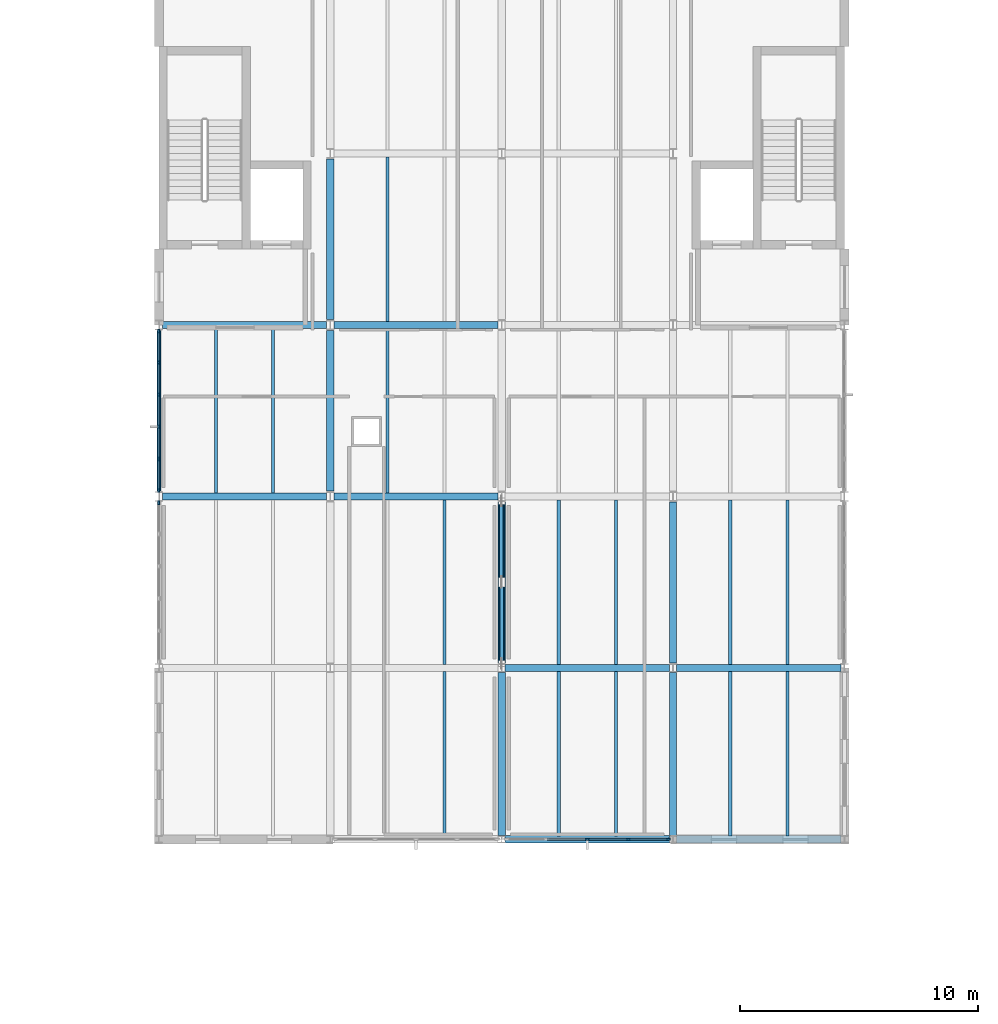
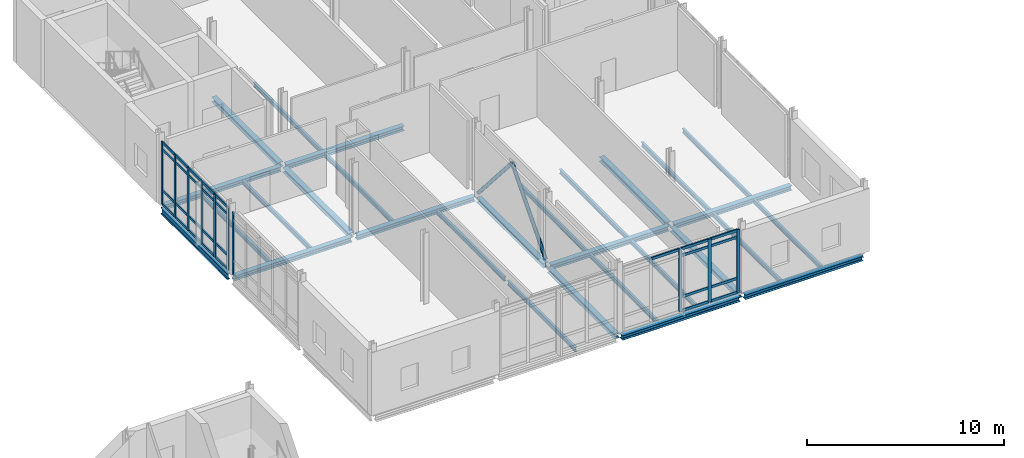
# One storey, part 29 of 72: 41 members, 29 beams, 3 elements without a shape of their own.
"""IFC4 building model written with IfcOpenShell, lengths in metres."""

import ifcopenshell
import ifcopenshell.guid

model = None  # the IFC model being written
_history = None  # IfcOwnerHistory: only IFC2X3 demands one
_inside = {}  # id of a spatial element -> (the spatial element, [elements in it])
_under = {}  # id of a project, library or spatial element -> (it, [spatial elements below it])
_declared = {}  # id of a project -> (the project, [libraries it declares])
_typed = {}  # id of a type object -> (the type object, [elements of that type])
_made_of = {}  # id of a material, layer set ... -> (it, [elements and type objects made of it])


def new_model(schema):
    """Start an empty IFC model of exactly this schema.

    Asked for "IFC4X3", IfcOpenShell would pick the latest addendum, in which some entities
    have other attributes; the version numbers below select the first issue.
    IFC2X3 requires an IfcOwnerHistory on every rooted entity: one is made here for all.
    """
    global model, _history
    if schema == "IFC4X3":
        model = ifcopenshell.file(schema_version=(4, 3, 0, 0))
    else:
        model = ifcopenshell.file(schema=schema)
    _inside.clear()
    _under.clear()
    _declared.clear()
    _typed.clear()
    _made_of.clear()
    _history = None
    if model.schema == "IFC2X3":
        org = make("IfcOrganization", Name="unknown")
        user = make(
            "IfcPersonAndOrganization",
            ThePerson=make("IfcPerson", FamilyName="unknown"),
            TheOrganization=org,
        )
        app = make(
            "IfcApplication",
            ApplicationDeveloper=org,
            Version="unknown",
            ApplicationFullName="unknown",
            ApplicationIdentifier="unknown",
        )
        _history = make(
            "IfcOwnerHistory",
            OwningUser=user,
            OwningApplication=app,
            ChangeAction="ADDED",
            CreationDate=0,
        )
    return model


def make(cls, **values):
    """One entity of the class cls with the attributes given. An attribute that is None is left unset."""
    return model.create_entity(
        cls, **{name: value for name, value in values.items() if value is not None}
    )


def rooted(cls, **values):
    """An entity with a GlobalId (a new one), such as an element, a storey or a relation."""
    return make(cls, GlobalId=ifcopenshell.guid.new(), OwnerHistory=_history, **values)


def si_unit(unit_type, name, prefix=None):
    """IfcSIUnit, for example si_unit("LENGTHUNIT", "METRE", prefix="MILLI")."""
    return make("IfcSIUnit", UnitType=unit_type, Prefix=prefix, Name=name)


def assignment(units):
    """IfcUnitAssignment: the units of a project."""
    return None if units is None else make("IfcUnitAssignment", Units=units)


def point(xyz):
    """IfcCartesianPoint."""
    return None if xyz is None else make("IfcCartesianPoint", Coordinates=xyz)


def direction(xyz):
    """IfcDirection."""
    return None if xyz is None else make("IfcDirection", DirectionRatios=xyz)


def frame(location, z_axis=None, x_axis=None):
    """IfcAxis2Placement3D, a coordinate frame: its origin and axes. An axis left out is left unset."""
    return make(
        "IfcAxis2Placement3D",
        Location=point(location),
        Axis=direction(z_axis),
        RefDirection=direction(x_axis),
    )


def frame_2d(location, x_axis=None):
    """IfcAxis2Placement2D, a coordinate frame in the plane: its origin and x axis."""
    return make(
        "IfcAxis2Placement2D", Location=point(location), RefDirection=direction(x_axis)
    )


def origin():
    """The frame at (0, 0, 0) with its axes left unset."""
    return frame((0.0, 0.0, 0.0))


def origin_2d():
    """The frame at (0, 0) in the plane with its x axis left unset."""
    return frame_2d((0.0, 0.0))


def place(relative_to, where):
    """IfcLocalPlacement: puts the frame where relative to a parent placement (None: the world)."""
    return make(
        "IfcLocalPlacement", PlacementRelTo=relative_to, RelativePlacement=where
    )


def context(
    kind, dimensions, precision=None, world=None, true_north=None, identifier=None
):
    """IfcGeometricRepresentationContext, for example the 3D "Model" context."""
    return make(
        "IfcGeometricRepresentationContext",
        ContextIdentifier=identifier,
        ContextType=kind,
        CoordinateSpaceDimension=dimensions,
        Precision=precision,
        WorldCoordinateSystem=world,
        TrueNorth=true_north,
    )


def subcontext(parent, identifier, kind, view, scale=None):
    """IfcGeometricRepresentationSubContext, for example "Body" below "Model"."""
    return make(
        "IfcGeometricRepresentationSubContext",
        ContextIdentifier=identifier,
        ContextType=kind,
        ParentContext=parent,
        TargetScale=scale,
        TargetView=view,
    )


def project(units=None, contexts=None):
    """IfcProject with its units and contexts."""
    return rooted(
        "IfcProject",
        Name="project",
        RepresentationContexts=contexts,
        UnitsInContext=assignment(units),
    )


def spatial(cls, under=None, at=None, **own):
    """A site, building, storey or space (cls), placed at a placement, below another one or the project."""
    s = rooted(cls, ObjectPlacement=at, **own)
    if under is not None:
        _under.setdefault(under.id(), (under, []))[1].append(s)
    return s


def profile(cls, at=None, kind="AREA", **sizes):
    """A parametric profile (cls). Its sizes go by their IFC names, for example OverallWidth=200.0."""
    return make(cls, ProfileType=kind, Position=at, **sizes)


def rectangle(**sizes):
    """IfcRectangleProfileDef."""
    return profile("IfcRectangleProfileDef", **sizes)


def hollow_circle(**sizes):
    """IfcCircleHollowProfileDef."""
    return profile("IfcCircleHollowProfileDef", **sizes)


def i_section(**sizes):
    """IfcIShapeProfileDef."""
    return profile("IfcIShapeProfileDef", **sizes)


def extrude(swept, where, along, depth):
    """IfcExtrudedAreaSolid: the profile swept, set in the frame where, extruded along a direction by depth."""
    return make(
        "IfcExtrudedAreaSolid",
        SweptArea=swept,
        Position=where,
        ExtrudedDirection=direction(along),
        Depth=depth,
    )


def shape(context_of_items, identifier, shape_type, items):
    """IfcShapeRepresentation: the items that make up one representation, for example the "Body"."""
    return make(
        "IfcShapeRepresentation",
        ContextOfItems=context_of_items,
        RepresentationIdentifier=identifier,
        RepresentationType=shape_type,
        Items=items,
    )


def material(Name=None, Category=None):
    """IfcMaterial."""
    return make("IfcMaterial", Name=Name, Category=Category)


def layer(
    of_material, thickness, ventilated=None, Name=None, Category=None, Priority=None
):
    """IfcMaterialLayer: one layer of a wall or slab, of a material (None: an air gap)."""
    return make(
        "IfcMaterialLayer",
        Material=of_material,
        LayerThickness=thickness,
        IsVentilated=ventilated,
        Name=Name,
        Category=Category,
        Priority=Priority,
    )


def layer_set(layers, Name=None):
    """IfcMaterialLayerSet."""
    return make("IfcMaterialLayerSet", MaterialLayers=layers, LayerSetName=Name)


def material_profile(
    of_material, cross_section, Name=None, Category=None, Priority=None
):
    """IfcMaterialProfile: a cross section and its material."""
    return make(
        "IfcMaterialProfile",
        Name=Name,
        Material=of_material,
        Profile=cross_section,
        Priority=Priority,
        Category=Category,
    )


def profile_set(profiles, Name=None, composite=None):
    """IfcMaterialProfileSet."""
    return make(
        "IfcMaterialProfileSet",
        Name=Name,
        MaterialProfiles=profiles,
        CompositeProfile=composite,
    )


def made_of(thing, what):
    """Note that an element or type object is made of a material, layer set ...; save() writes the relation."""
    if what is not None:
        _made_of.setdefault(what.id(), (what, []))[1].append(thing)
    return thing


def type_object(cls, material=None, **own):
    """A type object (cls), such as IfcWallType, which elements share."""
    return made_of(rooted(cls, **own), material)


def element(
    cls,
    number,
    at=None,
    inside=None,
    cuts=None,
    type_object=None,
    material=None,
    context=None,
    identifier="Body",
    shape_type=None,
    held_by="IfcProductDefinitionShape",
    body=None,
    shapes=None,
    **own,
):
    """One element of the class cls, such as IfcWall. Its Tag is "e" and its number.

    at: its placement. inside: the storey or other place that contains it. cuts: it is an
    opening in that element (IfcRelVoidsElement). A single representation is given by context,
    identifier, shape_type and body (its items); several are given by shapes. held_by: the class
    of the entity that holds the representations. save() writes the other relations.
    """
    e = rooted(cls, Tag="e%d" % number, ObjectPlacement=at, **own)
    if body is not None:
        shapes = [shape(context, identifier, shape_type, body)]
    if shapes is not None:
        e.Representation = make(held_by, Representations=shapes)
    if inside is not None:
        _inside.setdefault(inside.id(), (inside, []))[1].append(e)
    if cuts is not None:
        rooted(
            "IfcRelVoidsElement", RelatingBuildingElement=cuts, RelatedOpeningElement=e
        )
    if type_object is not None:
        _typed.setdefault(type_object.id(), (type_object, []))[1].append(e)
    return made_of(e, material)


def aggregate(whole, parts):
    """IfcRelAggregates: a whole, such as a stair, and the parts it consists of."""
    return rooted("IfcRelAggregates", RelatingObject=whole, RelatedObjects=parts)


def save(model, path):
    """Write the relations noted so far, then the file.

    IfcRelAggregates (storeys below a building ...), IfcRelContainedInSpatialStructure (elements
    in a storey), IfcRelDefinesByType, IfcRelAssociatesMaterial and IfcRelDeclares: one each for
    every whole, place, type object, material and project.
    """
    for whole, parts in _under.values():
        aggregate(whole, parts)
    for where, things in _inside.values():
        rooted(
            "IfcRelContainedInSpatialStructure",
            RelatedElements=things,
            RelatingStructure=where,
        )
    for kind, things in _typed.values():
        rooted("IfcRelDefinesByType", RelatedObjects=things, RelatingType=kind)
    for what, things in _made_of.values():
        rooted("IfcRelAssociatesMaterial", RelatedObjects=things, RelatingMaterial=what)
    for by, libraries in _declared.values():
        rooted("IfcRelDeclares", RelatingContext=by, RelatedDefinitions=libraries)
    model.write(path)


model = new_model("IFC4")

# Units and contexts
model_context = context("Model", 3, precision=1e-05, world=origin(), true_north=direction((0.0, 1.0)))
body_context = subcontext(model_context, "Body", "Model", "MODEL_VIEW")
ifc_project = project(units=[si_unit("LENGTHUNIT", "METRE"), si_unit("AREAUNIT", "SQUARE_METRE"), si_unit("VOLUMEUNIT", "CUBIC_METRE"), si_unit("PLANEANGLEUNIT", "RADIAN"), si_unit("MASSUNIT", "GRAM", prefix="KILO")], contexts=[model_context])

# Site, building, storey
site_placement = place(None, origin())
site = spatial("IfcSite", under=ifc_project, at=site_placement, CompositionType="ELEMENT")
building_placement = place(site_placement, origin())
building = spatial("IfcBuilding", under=site, at=building_placement, Name="Zarrinpeak Specialist Clinic", CompositionType="ELEMENT")
storey_placement = place(building_placement, frame((0.0, 0.0, 9.60009765625)))
storey = spatial("IfcBuildingStorey", under=building, at=storey_placement, Name="L02", CompositionType="ELEMENT", Elevation=9.60009765625)

# Beams
ifc_material_1 = material(Name="Steel S355", Category="steel")
ifc_material_profile_1 = material_profile(ifc_material_1, i_section(OverallWidth=0.300048828125, OverallDepth=0.2900390625, WebThickness=0.008544921875, FlangeThickness=0.013916015625, FilletRadius=0.027099609375, at=origin_2d()), Name="HEA 300")
ifc_profile_set_1 = profile_set([ifc_material_profile_1], Name="Steel S355")
beam_type_1 = type_object("IfcBeamType", Name="BM-HEA300", PredefinedType="BEAM", material=ifc_profile_set_1)
beam_1_placement = place(storey_placement, frame((50.548095703125, 82.0, -0.360107421875), z_axis=(1.0, 0.0, 0.0), x_axis=(0.0, 1.0, 0.0)))
element("IfcBeam", 1, at=beam_1_placement, inside=storey, type_object=beam_type_1, Name="L02 Primary Floor Girder BM-L02-X1203", PredefinedType="BEAM", context=body_context, shape_type="SweptSolid", body=[
    extrude(i_section(OverallWidth=0.300048828125, OverallDepth=0.2900390625, WebThickness=0.008544921875, FlangeThickness=0.013916015625, FilletRadius=0.027099609375, at=origin_2d()), origin(), (0.0, 0.0, 1.0), 6.90380859375),
])
beam_2_placement = place(storey_placement, frame((57.748046875, 82.0, -0.360107421875), z_axis=(1.0, 0.0, 0.0), x_axis=(0.0, 1.0, 0.0)))
element("IfcBeam", 2, at=beam_2_placement, inside=storey, type_object=beam_type_1, Name="L02 Primary Floor Girder BM-L02-X1204", PredefinedType="BEAM", context=body_context, shape_type="SweptSolid", body=[
    extrude(i_section(OverallWidth=0.300048828125, OverallDepth=0.2900390625, WebThickness=0.008544921875, FlangeThickness=0.013916015625, FilletRadius=0.027099609375, at=origin_2d()), origin(), (0.0, 0.0, 1.0), 6.904052734375),
])
beam_3_placement = place(storey_placement, frame((50.548095703125, 89.199951171875, -0.360107421875), z_axis=(1.0, 0.0, 0.0), x_axis=(0.0, 1.0, 0.0)))
element("IfcBeam", 3, at=beam_3_placement, inside=storey, type_object=beam_type_1, Name="L02 Primary Floor Girder BM-L02-X1207", PredefinedType="BEAM", context=body_context, shape_type="SweptSolid", body=[
    extrude(i_section(OverallWidth=0.300048828125, OverallDepth=0.2900390625, WebThickness=0.008544921875, FlangeThickness=0.013916015625, FilletRadius=0.027099609375, at=origin_2d()), origin(), (0.0, 0.0, 1.0), 6.90380859375),
])
for number, where, z_axis, x_axis, name in (
    (4, (57.748046875, 89.199951171875, -0.360107421875), (1.0, 0.0, 0.0), (0.0, 1.0, 0.0), "L02 Primary Floor Girder BM-L02-X1208"),
    (5, (36.14794921875, 96.39990234375, -0.360107421875), (1.0, 0.0, 0.0), (0.0, 1.0, 0.0), "L02 Primary Floor Girder BM-L02-X1209"),
    (6, (43.347900390625, 96.39990234375, -0.360107421875), (1.0, 0.0, 0.0), (0.0, 1.0, 0.0), "L02 Primary Floor Girder BM-L02-X1210"),
    (7, (36.14794921875, 103.60009765625, -0.360107421875), (1.0, 0.0, 0.0), (0.0, 1.0, 0.0), "L02 Primary Floor Girder BM-L02-X1213"),
    (8, (43.347900390625, 103.60009765625, -0.360107421875), (1.0, 0.0, 0.0), (0.0, 1.0, 0.0), "L02 Primary Floor Girder BM-L02-X1214"),
):
    element("IfcBeam", number, at=place(storey_placement, frame(where, z_axis=z_axis, x_axis=x_axis)), inside=storey, type_object=beam_type_1, Name=name, PredefinedType="BEAM", context=body_context, shape_type="SweptSolid", body=[
        extrude(i_section(OverallWidth=0.300048828125, OverallDepth=0.2900390625, WebThickness=0.008544921875, FlangeThickness=0.013916015625, FilletRadius=0.027099609375, at=origin_2d()), origin(), (0.0, 0.0, 1.0), 6.904052734375),
    ])
for number, where, z_axis, x_axis, name in (
    (9, (43.199951171875, 96.623046875, -0.360107421875), (0.0, 1.0, 0.0), (-1.0, 0.0, 0.0), "L02 Primary Beam BM-L02-Y1287"),
    (10, (43.199951171875, 103.822998046875, -0.360107421875), (0.0, 1.0, 0.0), (-1.0, 0.0, 0.0), "L02 Primary Beam BM-L02-Y1288"),
):
    element("IfcBeam", number, at=place(storey_placement, frame(where, z_axis=z_axis, x_axis=x_axis)), inside=storey, type_object=beam_type_1, Name=name, PredefinedType="BEAM", context=body_context, shape_type="SweptSolid", body=[
        extrude(i_section(OverallWidth=0.300048828125, OverallDepth=0.2900390625, WebThickness=0.008544921875, FlangeThickness=0.013916015625, FilletRadius=0.027099609375, at=origin_2d()), origin(), (0.0, 0.0, 1.0), 6.75390625),
    ])
beam_4_placement = place(storey_placement, frame((50.39990234375, 82.157958984375, -0.360107421875), z_axis=(0.0, 1.0, 0.0), x_axis=(-1.0, 0.0, 0.0)))
element("IfcBeam", 11, at=beam_4_placement, inside=storey, type_object=beam_type_1, Name="L02 Primary Beam BM-L02-Y1294", PredefinedType="BEAM", context=body_context, shape_type="SweptSolid", body=[
    extrude(i_section(OverallWidth=0.300048828125, OverallDepth=0.2900390625, WebThickness=0.008544921875, FlangeThickness=0.013916015625, FilletRadius=0.027099609375, at=origin_2d()), origin(), (0.0, 0.0, 1.0), 6.843994140625),
])
beam_5_placement = place(storey_placement, frame((50.39990234375, 89.39794921875, -0.360107421875), z_axis=(0.0, 1.0, 0.0), x_axis=(-1.0, 0.0, 0.0)))
element("IfcBeam", 12, at=beam_5_placement, inside=storey, type_object=beam_type_1, Name="L02 Primary Beam BM-L02-Y1295", PredefinedType="BEAM", context=body_context, shape_type="SweptSolid", body=[
    extrude(i_section(OverallWidth=0.300048828125, OverallDepth=0.2900390625, WebThickness=0.008544921875, FlangeThickness=0.013916015625, FilletRadius=0.027099609375, at=origin_2d()), origin(), (0.0, 0.0, 1.0), 6.779052734375),
])
beam_6_placement = place(storey_placement, frame((57.60009765625, 82.157958984375, -0.360107421875), z_axis=(0.0, 1.0, 0.0), x_axis=(-1.0, 0.0, 0.0)))
element("IfcBeam", 13, at=beam_6_placement, inside=storey, type_object=beam_type_1, Name="L02 Primary Beam BM-L02-Y1301", PredefinedType="BEAM", context=body_context, shape_type="SweptSolid", body=[
    extrude(i_section(OverallWidth=0.300048828125, OverallDepth=0.2900390625, WebThickness=0.008544921875, FlangeThickness=0.013916015625, FilletRadius=0.027099609375, at=origin_2d()), origin(), (0.0, 0.0, 1.0), 6.843994140625),
])
beam_7_placement = place(storey_placement, frame((57.60009765625, 89.39794921875, -0.360107421875), z_axis=(0.0, 1.0, 0.0), x_axis=(-1.0, 0.0, 0.0)))
element("IfcBeam", 14, at=beam_7_placement, inside=storey, type_object=beam_type_1, Name="L02 Primary Beam BM-L02-Y1302", PredefinedType="BEAM", context=body_context, shape_type="SweptSolid", body=[
    extrude(i_section(OverallWidth=0.300048828125, OverallDepth=0.2900390625, WebThickness=0.008544921875, FlangeThickness=0.013916015625, FilletRadius=0.027099609375, at=origin_2d()), origin(), (0.0, 0.0, 1.0), 6.779052734375),
])
ifc_material_profile_2 = material_profile(ifc_material_1, i_section(OverallWidth=0.135009765625, OverallDepth=0.27001953125, WebThickness=0.006591796875, FlangeThickness=0.01025390625, FilletRadius=0.014892578125, at=origin_2d()), Name="IPE 270")
ifc_profile_set_2 = profile_set([ifc_material_profile_2], Name="Steel S355")
beam_type_2 = type_object("IfcBeamType", Name="BM-JST270", PredefinedType="JOIST", material=ifc_profile_set_2)
for number, where, z_axis, x_axis, name in (
    (15, (38.39990234375, 96.548095703125, -0.35009765625), (0.0, 1.0, 0.0), (-1.0, 0.0, 0.0), "L02 Composite Floor Joist JST-L02-1458"),
    (16, (40.800048828125, 96.548095703125, -0.35009765625), (0.0, 1.0, 0.0), (-1.0, 0.0, 0.0), "L02 Composite Floor Joist JST-L02-1459"),
):
    element("IfcBeam", number, at=place(storey_placement, frame(where, z_axis=z_axis, x_axis=x_axis)), inside=storey, type_object=beam_type_2, Name=name, PredefinedType="JOIST", context=body_context, shape_type="SweptSolid", body=[
        extrude(i_section(OverallWidth=0.135009765625, OverallDepth=0.27001953125, WebThickness=0.006591796875, FlangeThickness=0.01025390625, FilletRadius=0.014892578125, at=origin_2d()), origin(), (0.0, 0.0, 1.0), 6.90380859375),
    ])
for number, where, z_axis, x_axis, name in (
    (17, (48.0, 82.14794921875, -0.35009765625), (0.0, 1.0, 0.0), (-1.0, 0.0, 0.0), "L02 Composite Floor Joist JST-L02-1461"),
    (18, (48.0, 89.347900390625, -0.35009765625), (0.0, 1.0, 0.0), (-1.0, 0.0, 0.0), "L02 Composite Floor Joist JST-L02-1463"),
):
    element("IfcBeam", number, at=place(storey_placement, frame(where, z_axis=z_axis, x_axis=x_axis)), inside=storey, type_object=beam_type_2, Name=name, PredefinedType="JOIST", context=body_context, shape_type="SweptSolid", body=[
        extrude(i_section(OverallWidth=0.135009765625, OverallDepth=0.27001953125, WebThickness=0.006591796875, FlangeThickness=0.01025390625, FilletRadius=0.014892578125, at=origin_2d()), origin(), (0.0, 0.0, 1.0), 6.904052734375),
    ])
beam_8_placement = place(storey_placement, frame((45.60009765625, 96.548095703125, -0.35009765625), z_axis=(0.0, 1.0, 0.0), x_axis=(-1.0, 0.0, 0.0)))
element("IfcBeam", 19, at=beam_8_placement, inside=storey, type_object=beam_type_2, Name="L02 Composite Floor Joist JST-L02-1464", PredefinedType="JOIST", context=body_context, shape_type="SweptSolid", body=[
    extrude(i_section(OverallWidth=0.135009765625, OverallDepth=0.27001953125, WebThickness=0.006591796875, FlangeThickness=0.01025390625, FilletRadius=0.014892578125, at=origin_2d()), origin(), (0.0, 0.0, 1.0), 6.90380859375),
])
for number, where, z_axis, x_axis, name in (
    (20, (45.60009765625, 103.748046875, -0.35009765625), (0.0, 1.0, 0.0), (-1.0, 0.0, 0.0), "L02 Composite Floor Joist JST-L02-1466"),
    (21, (52.800048828125, 82.14794921875, -0.35009765625), (0.0, 1.0, 0.0), (-1.0, 0.0, 0.0), "L02 Composite Floor Joist JST-L02-1470"),
    (22, (55.199951171875, 82.14794921875, -0.35009765625), (0.0, 1.0, 0.0), (-1.0, 0.0, 0.0), "L02 Composite Floor Joist JST-L02-1471"),
    (23, (52.800048828125, 89.347900390625, -0.35009765625), (0.0, 1.0, 0.0), (-1.0, 0.0, 0.0), "L02 Composite Floor Joist JST-L02-1472"),
    (24, (55.199951171875, 89.347900390625, -0.35009765625), (0.0, 1.0, 0.0), (-1.0, 0.0, 0.0), "L02 Composite Floor Joist JST-L02-1473"),
    (25, (60.0, 82.14794921875, -0.35009765625), (0.0, 1.0, 0.0), (-1.0, 0.0, 0.0), "L02 Composite Floor Joist JST-L02-1480"),
    (26, (62.39990234375, 82.14794921875, -0.35009765625), (0.0, 1.0, 0.0), (-1.0, 0.0, 0.0), "L02 Composite Floor Joist JST-L02-1481"),
    (27, (60.0, 89.347900390625, -0.35009765625), (0.0, 1.0, 0.0), (-1.0, 0.0, 0.0), "L02 Composite Floor Joist JST-L02-1482"),
    (28, (62.39990234375, 89.347900390625, -0.35009765625), (0.0, 1.0, 0.0), (-1.0, 0.0, 0.0), "L02 Composite Floor Joist JST-L02-1483"),
):
    element("IfcBeam", number, at=place(storey_placement, frame(where, z_axis=z_axis, x_axis=x_axis)), inside=storey, type_object=beam_type_2, Name=name, PredefinedType="JOIST", context=body_context, shape_type="SweptSolid", body=[
        extrude(i_section(OverallWidth=0.135009765625, OverallDepth=0.27001953125, WebThickness=0.006591796875, FlangeThickness=0.01025390625, FilletRadius=0.014892578125, at=origin_2d()), origin(), (0.0, 0.0, 1.0), 6.904052734375),
    ])
ifc_material_profile_3 = material_profile(ifc_material_1, i_section(OverallWidth=0.169921875, OverallDepth=0.360107421875, WebThickness=0.008056640625, FlangeThickness=0.0126953125, FilletRadius=0.01806640625, at=origin_2d()), Name="IPE 360")
ifc_profile_set_3 = profile_set([ifc_material_profile_3], Name="Steel S355")
beam_type_3 = type_object("IfcBeamType", Name="BM-SP360", PredefinedType="SPANDREL", material=ifc_profile_set_3)
beam_9_placement = place(storey_placement, frame((36.0, 96.623046875, -0.39501953125), z_axis=(0.0, 1.0, 0.0), x_axis=(-1.0, 0.0, 0.0)))
element("IfcBeam", 29, at=beam_9_placement, inside=storey, type_object=beam_type_3, Name="L02 Perimeter Spandrel Beam BM-L02-Y1281", PredefinedType="SPANDREL", context=body_context, shape_type="SweptSolid", body=[
    extrude(i_section(OverallWidth=0.169921875, OverallDepth=0.360107421875, WebThickness=0.008056640625, FlangeThickness=0.0126953125, FilletRadius=0.01806640625, at=origin_2d()), origin(), (0.0, 0.0, 1.0), 6.75390625),
])

# Curtain wall, members
ifc_material_2 = material(Name="Anodised Aluminium Alloy 6063-T6", Category="aluminium")
ifc_layer_1 = layer(ifc_material_2, 0.179931640625)
ifc_layer_set_1 = layer_set([ifc_layer_1], Name="Anodised Aluminium Alloy 6063-T6")
curtain_wall_type_1 = type_object("IfcCurtainWallType", Name="CW-COURT", PredefinedType="NOTDEFINED", material=ifc_layer_set_1)
curtain_wall_1_placement = place(storey_placement, origin())
curtain_wall_1 = element("IfcCurtainWall", 30, at=curtain_wall_1_placement, inside=storey, type_object=curtain_wall_type_1, Name="L02 V6 Unitised Curtain Wall CW-L02-V6-142", PredefinedType="NOTDEFINED")
ifc_material_profile_4 = material_profile(ifc_material_2, rectangle(XDim=0.074951171875, YDim=0.179931640625, at=origin_2d()), Name="ALU 75x180")
ifc_profile_set_4 = profile_set([ifc_material_profile_4], Name="Anodised Aluminium Alloy 6063-T6")
member_type_1 = type_object("IfcMemberType", Name="CWM-75", PredefinedType="MULLION", material=ifc_profile_set_4)
member_1_placement = place(storey_placement, frame((54.0, 82.0, 0.0), z_axis=(0.0, 0.0, 1.0), x_axis=(0.0, 1.0, 0.0)))
member_1 = element("IfcMember", 31, at=member_1_placement, type_object=member_type_1, Name="CW-01 mullion 3", PredefinedType="MULLION", context=body_context, shape_type="SweptSolid", body=[
    extrude(rectangle(XDim=0.074951171875, YDim=0.179931640625, at=origin_2d()), origin(), (0.0, 0.0, 1.0), 3.89990234375),
])
member_2_placement = place(storey_placement, frame((55.717529296875, 82.0, 0.0), z_axis=(0.0, 0.0, 1.0), x_axis=(0.0, 1.0, 0.0)))
member_2 = element("IfcMember", 32, at=member_2_placement, type_object=member_type_1, Name="CW-01 mullion 4", PredefinedType="MULLION", context=body_context, shape_type="SweptSolid", body=[
    extrude(rectangle(XDim=0.074951171875, YDim=0.179931640625, at=origin_2d()), origin(), (0.0, 0.0, 1.0), 3.89990234375),
])
member_3_placement = place(storey_placement, frame((57.3974609375, 82.0, 0.0), z_axis=(0.0, 0.0, 1.0), x_axis=(0.0, 1.0, 0.0)))
member_3 = element("IfcMember", 33, at=member_3_placement, type_object=member_type_1, Name="CW-01 mullion 5", PredefinedType="MULLION", context=body_context, shape_type="SweptSolid", body=[
    extrude(rectangle(XDim=0.074951171875, YDim=0.179931640625, at=origin_2d()), origin(), (0.0, 0.0, 1.0), 3.89990234375),
])

# Curtain wall, member
ifc_layer_2 = layer(ifc_material_2, 0.1650390625)
ifc_layer_set_2 = layer_set([ifc_layer_2], Name="Anodised Aluminium Alloy 6063-T6")
curtain_wall_type_2 = type_object("IfcCurtainWallType", Name="CW-CLINIC", PredefinedType="NOTDEFINED", material=ifc_layer_set_2)
curtain_wall_2_placement = place(storey_placement, origin())
curtain_wall_2 = element("IfcCurtainWall", 34, at=curtain_wall_2_placement, inside=storey, type_object=curtain_wall_type_2, Name="L02 V6 Unitised Curtain Wall CW-L02-V6-143", PredefinedType="NOTDEFINED")
member_4_placement = place(storey_placement, frame((36.0, 96.137451171875, 0.0), z_axis=(0.0, 0.0, 1.0), x_axis=(1.0, 0.0, 0.0)))
member_4 = element("IfcMember", 35, at=member_4_placement, type_object=member_type_1, Name="CW-03 mullion 1", PredefinedType="MULLION", context=body_context, shape_type="SweptSolid", body=[
    extrude(rectangle(XDim=0.074951171875, YDim=0.179931640625, at=origin_2d()), origin(), (0.0, 0.0, 1.0), 3.885009765625),
])
aggregate(curtain_wall_2, [member_4])

# Curtain wall, members
curtain_wall_3_placement = place(storey_placement, origin())
curtain_wall_3 = element("IfcCurtainWall", 36, at=curtain_wall_3_placement, inside=storey, type_object=curtain_wall_type_2, Name="L02 V6 Unitised Curtain Wall CW-L02-V6-144", PredefinedType="NOTDEFINED")
member_5_placement = place(storey_placement, frame((36.0, 103.33740234375, 0.0), z_axis=(0.0, 0.0, 1.0), x_axis=(1.0, 0.0, 0.0)))
member_5 = element("IfcMember", 37, at=member_5_placement, type_object=member_type_1, Name="CW-03 mullion 1", PredefinedType="MULLION", context=body_context, shape_type="SweptSolid", body=[
    extrude(rectangle(XDim=0.074951171875, YDim=0.179931640625, at=origin_2d()), origin(), (0.0, 0.0, 1.0), 3.885009765625),
])
member_6_placement = place(storey_placement, frame((36.0, 102.02490234375, 0.0), z_axis=(0.0, 0.0, 1.0), x_axis=(1.0, 0.0, 0.0)))
member_6 = element("IfcMember", 38, at=member_6_placement, type_object=member_type_1, Name="CW-03 mullion 2", PredefinedType="MULLION", context=body_context, shape_type="SweptSolid", body=[
    extrude(rectangle(XDim=0.074951171875, YDim=0.179931640625, at=origin_2d()), origin(), (0.0, 0.0, 1.0), 3.885009765625),
])
member_7_placement = place(storey_placement, frame((36.0, 100.675048828125, 0.0), z_axis=(0.0, 0.0, 1.0), x_axis=(1.0, 0.0, 0.0)))
member_7 = element("IfcMember", 39, at=member_7_placement, type_object=member_type_1, Name="CW-03 mullion 3", PredefinedType="MULLION", context=body_context, shape_type="SweptSolid", body=[
    extrude(rectangle(XDim=0.074951171875, YDim=0.179931640625, at=origin_2d()), origin(), (0.0, 0.0, 1.0), 3.885009765625),
])
member_8_placement = place(storey_placement, frame((36.0, 99.324951171875, 0.0), z_axis=(0.0, 0.0, 1.0), x_axis=(1.0, 0.0, 0.0)))
member_8 = element("IfcMember", 40, at=member_8_placement, type_object=member_type_1, Name="CW-03 mullion 4", PredefinedType="MULLION", context=body_context, shape_type="SweptSolid", body=[
    extrude(rectangle(XDim=0.074951171875, YDim=0.179931640625, at=origin_2d()), origin(), (0.0, 0.0, 1.0), 3.885009765625),
])
member_9_placement = place(storey_placement, frame((36.0, 97.97509765625, 0.0), z_axis=(0.0, 0.0, 1.0), x_axis=(1.0, 0.0, 0.0)))
member_9 = element("IfcMember", 41, at=member_9_placement, type_object=member_type_1, Name="CW-03 mullion 5", PredefinedType="MULLION", context=body_context, shape_type="SweptSolid", body=[
    extrude(rectangle(XDim=0.074951171875, YDim=0.179931640625, at=origin_2d()), origin(), (0.0, 0.0, 1.0), 3.885009765625),
])
member_10_placement = place(storey_placement, frame((36.0, 96.66259765625, 0.0), z_axis=(0.0, 0.0, 1.0), x_axis=(1.0, 0.0, 0.0)))
member_10 = element("IfcMember", 42, at=member_10_placement, type_object=member_type_1, Name="CW-03 mullion 6", PredefinedType="MULLION", context=body_context, shape_type="SweptSolid", body=[
    extrude(rectangle(XDim=0.074951171875, YDim=0.179931640625, at=origin_2d()), origin(), (0.0, 0.0, 1.0), 3.885009765625),
])

# Member
ifc_material_profile_5 = material_profile(ifc_material_2, rectangle(XDim=0.074951171875, YDim=0.159912109375, at=origin_2d()), Name="ALU 75x160")
ifc_profile_set_5 = profile_set([ifc_material_profile_5], Name="Anodised Aluminium Alloy 6063-T6")
member_type_2 = type_object("IfcMemberType", Name="CWT-75", PredefinedType="USERDEFINED", material=ifc_profile_set_5)
member_11_placement = place(storey_placement, frame((52.320068359375, 82.0, 3.8623046875), z_axis=(1.0, 0.0, 0.0), x_axis=(0.0, 1.0, 0.0)))
member_11 = element("IfcMember", 43, at=member_11_placement, type_object=member_type_2, Name="CW-01 transom 2.4", ObjectType="TRANSOM", PredefinedType="USERDEFINED", context=body_context, shape_type="SweptSolid", body=[
    extrude(rectangle(XDim=0.074951171875, YDim=0.159912109375, at=origin_2d()), origin(), (0.0, 0.0, 1.0), 1.642333984375),
])

member_12_placement = place(storey_placement, frame((54.03759765625, 82.0, 0.037353515625), z_axis=(1.0, 0.0, 0.0), x_axis=(0.0, 1.0, 0.0)))
member_12 = element("IfcMember", 44, at=member_12_placement, type_object=member_type_2, Name="CW-01 transom 3.1", ObjectType="TRANSOM", PredefinedType="USERDEFINED", context=body_context, shape_type="SweptSolid", body=[
    extrude(rectangle(XDim=0.074951171875, YDim=0.159912109375, at=origin_2d()), origin(), (0.0, 0.0, 1.0), 1.642333984375),
])

member_13_placement = place(storey_placement, frame((54.03759765625, 82.0, 0.89990234375), z_axis=(1.0, 0.0, 0.0), x_axis=(0.0, 1.0, 0.0)))
member_13 = element("IfcMember", 45, at=member_13_placement, type_object=member_type_2, Name="CW-01 transom 3.2", ObjectType="TRANSOM", PredefinedType="USERDEFINED", context=body_context, shape_type="SweptSolid", body=[
    extrude(rectangle(XDim=0.074951171875, YDim=0.159912109375, at=origin_2d()), origin(), (0.0, 0.0, 1.0), 1.642333984375),
])

member_14_placement = place(storey_placement, frame((54.03759765625, 82.0, 3.449951171875), z_axis=(1.0, 0.0, 0.0), x_axis=(0.0, 1.0, 0.0)))
member_14 = element("IfcMember", 46, at=member_14_placement, type_object=member_type_2, Name="CW-01 transom 3.3", ObjectType="TRANSOM", PredefinedType="USERDEFINED", context=body_context, shape_type="SweptSolid", body=[
    extrude(rectangle(XDim=0.074951171875, YDim=0.159912109375, at=origin_2d()), origin(), (0.0, 0.0, 1.0), 1.642333984375),
])

member_15_placement = place(storey_placement, frame((54.03759765625, 82.0, 3.8623046875), z_axis=(1.0, 0.0, 0.0), x_axis=(0.0, 1.0, 0.0)))
member_15 = element("IfcMember", 47, at=member_15_placement, type_object=member_type_2, Name="CW-01 transom 3.4", ObjectType="TRANSOM", PredefinedType="USERDEFINED", context=body_context, shape_type="SweptSolid", body=[
    extrude(rectangle(XDim=0.074951171875, YDim=0.159912109375, at=origin_2d()), origin(), (0.0, 0.0, 1.0), 1.642333984375),
])

member_16_placement = place(storey_placement, frame((55.7548828125, 82.0, 0.037353515625), z_axis=(1.0, 0.0, 0.0), x_axis=(0.0, 1.0, 0.0)))
member_16 = element("IfcMember", 48, at=member_16_placement, type_object=member_type_2, Name="CW-01 transom 4.1", ObjectType="TRANSOM", PredefinedType="USERDEFINED", context=body_context, shape_type="SweptSolid", body=[
    extrude(rectangle(XDim=0.074951171875, YDim=0.159912109375, at=origin_2d()), origin(), (0.0, 0.0, 1.0), 1.605224609375),
])

member_17_placement = place(storey_placement, frame((55.7548828125, 82.0, 0.89990234375), z_axis=(1.0, 0.0, 0.0), x_axis=(0.0, 1.0, 0.0)))
member_17 = element("IfcMember", 49, at=member_17_placement, type_object=member_type_2, Name="CW-01 transom 4.2", ObjectType="TRANSOM", PredefinedType="USERDEFINED", context=body_context, shape_type="SweptSolid", body=[
    extrude(rectangle(XDim=0.074951171875, YDim=0.159912109375, at=origin_2d()), origin(), (0.0, 0.0, 1.0), 1.605224609375),
])

member_18_placement = place(storey_placement, frame((55.7548828125, 82.0, 3.449951171875), z_axis=(1.0, 0.0, 0.0), x_axis=(0.0, 1.0, 0.0)))
member_18 = element("IfcMember", 50, at=member_18_placement, type_object=member_type_2, Name="CW-01 transom 4.3", ObjectType="TRANSOM", PredefinedType="USERDEFINED", context=body_context, shape_type="SweptSolid", body=[
    extrude(rectangle(XDim=0.074951171875, YDim=0.159912109375, at=origin_2d()), origin(), (0.0, 0.0, 1.0), 1.605224609375),
])

member_19_placement = place(storey_placement, frame((55.7548828125, 82.0, 3.8623046875), z_axis=(1.0, 0.0, 0.0), x_axis=(0.0, 1.0, 0.0)))
member_19 = element("IfcMember", 51, at=member_19_placement, type_object=member_type_2, Name="CW-01 transom 4.4", ObjectType="TRANSOM", PredefinedType="USERDEFINED", context=body_context, shape_type="SweptSolid", body=[
    extrude(rectangle(XDim=0.074951171875, YDim=0.159912109375, at=origin_2d()), origin(), (0.0, 0.0, 1.0), 1.605224609375),
])

aggregate(curtain_wall_1, [member_1, member_2, member_3, member_11, member_12, member_13, member_14, member_15, member_16, member_17, member_18, member_19])

member_20_placement = place(storey_placement, frame((36.0, 103.300048828125, 0.037353515625), z_axis=(0.0, -1.0, 0.0), x_axis=(1.0, 0.0, 0.0)))
member_20 = element("IfcMember", 52, at=member_20_placement, type_object=member_type_2, Name="CW-03 transom 1.1", ObjectType="TRANSOM", PredefinedType="USERDEFINED", context=body_context, shape_type="SweptSolid", body=[
    extrude(rectangle(XDim=0.074951171875, YDim=0.159912109375, at=origin_2d()), origin(), (0.0, 0.0, 1.0), 1.237548828125),
])

member_21_placement = place(storey_placement, frame((36.0, 103.300048828125, 0.89990234375), z_axis=(0.0, -1.0, 0.0), x_axis=(1.0, 0.0, 0.0)))
member_21 = element("IfcMember", 53, at=member_21_placement, type_object=member_type_2, Name="CW-03 transom 1.2", ObjectType="TRANSOM", PredefinedType="USERDEFINED", context=body_context, shape_type="SweptSolid", body=[
    extrude(rectangle(XDim=0.074951171875, YDim=0.159912109375, at=origin_2d()), origin(), (0.0, 0.0, 1.0), 1.237548828125),
])

member_22_placement = place(storey_placement, frame((36.0, 103.300048828125, 3.434814453125), z_axis=(0.0, -1.0, 0.0), x_axis=(1.0, 0.0, 0.0)))
member_22 = element("IfcMember", 54, at=member_22_placement, type_object=member_type_2, Name="CW-03 transom 1.3", ObjectType="TRANSOM", PredefinedType="USERDEFINED", context=body_context, shape_type="SweptSolid", body=[
    extrude(rectangle(XDim=0.074951171875, YDim=0.159912109375, at=origin_2d()), origin(), (0.0, 0.0, 1.0), 1.237548828125),
])

member_23_placement = place(storey_placement, frame((36.0, 103.300048828125, 3.847412109375), z_axis=(0.0, -1.0, 0.0), x_axis=(1.0, 0.0, 0.0)))
member_23 = element("IfcMember", 55, at=member_23_placement, type_object=member_type_2, Name="CW-03 transom 1.4", ObjectType="TRANSOM", PredefinedType="USERDEFINED", context=body_context, shape_type="SweptSolid", body=[
    extrude(rectangle(XDim=0.074951171875, YDim=0.159912109375, at=origin_2d()), origin(), (0.0, 0.0, 1.0), 1.237548828125),
])

member_24_placement = place(storey_placement, frame((36.0, 101.987548828125, 0.037353515625), z_axis=(0.0, -1.0, 0.0), x_axis=(1.0, 0.0, 0.0)))
member_24 = element("IfcMember", 56, at=member_24_placement, type_object=member_type_2, Name="CW-03 transom 2.1", ObjectType="TRANSOM", PredefinedType="USERDEFINED", context=body_context, shape_type="SweptSolid", body=[
    extrude(rectangle(XDim=0.074951171875, YDim=0.159912109375, at=origin_2d()), origin(), (0.0, 0.0, 1.0), 1.275146484375),
])

member_25_placement = place(storey_placement, frame((36.0, 101.987548828125, 0.89990234375), z_axis=(0.0, -1.0, 0.0), x_axis=(1.0, 0.0, 0.0)))
member_25 = element("IfcMember", 57, at=member_25_placement, type_object=member_type_2, Name="CW-03 transom 2.2", ObjectType="TRANSOM", PredefinedType="USERDEFINED", context=body_context, shape_type="SweptSolid", body=[
    extrude(rectangle(XDim=0.074951171875, YDim=0.159912109375, at=origin_2d()), origin(), (0.0, 0.0, 1.0), 1.275146484375),
])

member_26_placement = place(storey_placement, frame((36.0, 101.987548828125, 3.434814453125), z_axis=(0.0, -1.0, 0.0), x_axis=(1.0, 0.0, 0.0)))
member_26 = element("IfcMember", 58, at=member_26_placement, type_object=member_type_2, Name="CW-03 transom 2.3", ObjectType="TRANSOM", PredefinedType="USERDEFINED", context=body_context, shape_type="SweptSolid", body=[
    extrude(rectangle(XDim=0.074951171875, YDim=0.159912109375, at=origin_2d()), origin(), (0.0, 0.0, 1.0), 1.275146484375),
])

member_27_placement = place(storey_placement, frame((36.0, 101.987548828125, 3.847412109375), z_axis=(0.0, -1.0, 0.0), x_axis=(1.0, 0.0, 0.0)))
member_27 = element("IfcMember", 59, at=member_27_placement, type_object=member_type_2, Name="CW-03 transom 2.4", ObjectType="TRANSOM", PredefinedType="USERDEFINED", context=body_context, shape_type="SweptSolid", body=[
    extrude(rectangle(XDim=0.074951171875, YDim=0.159912109375, at=origin_2d()), origin(), (0.0, 0.0, 1.0), 1.275146484375),
])

member_28_placement = place(storey_placement, frame((36.0, 100.637451171875, 0.037353515625), z_axis=(0.0, -1.0, 0.0), x_axis=(1.0, 0.0, 0.0)))
member_28 = element("IfcMember", 60, at=member_28_placement, type_object=member_type_2, Name="CW-03 transom 3.1", ObjectType="TRANSOM", PredefinedType="USERDEFINED", context=body_context, shape_type="SweptSolid", body=[
    extrude(rectangle(XDim=0.074951171875, YDim=0.159912109375, at=origin_2d()), origin(), (0.0, 0.0, 1.0), 1.27490234375),
])

member_29_placement = place(storey_placement, frame((36.0, 100.637451171875, 0.89990234375), z_axis=(0.0, -1.0, 0.0), x_axis=(1.0, 0.0, 0.0)))
member_29 = element("IfcMember", 61, at=member_29_placement, type_object=member_type_2, Name="CW-03 transom 3.2", ObjectType="TRANSOM", PredefinedType="USERDEFINED", context=body_context, shape_type="SweptSolid", body=[
    extrude(rectangle(XDim=0.074951171875, YDim=0.159912109375, at=origin_2d()), origin(), (0.0, 0.0, 1.0), 1.27490234375),
])

member_30_placement = place(storey_placement, frame((36.0, 100.637451171875, 3.434814453125), z_axis=(0.0, -1.0, 0.0), x_axis=(1.0, 0.0, 0.0)))
member_30 = element("IfcMember", 62, at=member_30_placement, type_object=member_type_2, Name="CW-03 transom 3.3", ObjectType="TRANSOM", PredefinedType="USERDEFINED", context=body_context, shape_type="SweptSolid", body=[
    extrude(rectangle(XDim=0.074951171875, YDim=0.159912109375, at=origin_2d()), origin(), (0.0, 0.0, 1.0), 1.27490234375),
])

member_31_placement = place(storey_placement, frame((36.0, 100.637451171875, 3.847412109375), z_axis=(0.0, -1.0, 0.0), x_axis=(1.0, 0.0, 0.0)))
member_31 = element("IfcMember", 63, at=member_31_placement, type_object=member_type_2, Name="CW-03 transom 3.4", ObjectType="TRANSOM", PredefinedType="USERDEFINED", context=body_context, shape_type="SweptSolid", body=[
    extrude(rectangle(XDim=0.074951171875, YDim=0.159912109375, at=origin_2d()), origin(), (0.0, 0.0, 1.0), 1.27490234375),
])

member_32_placement = place(storey_placement, frame((36.0, 99.28759765625, 0.037353515625), z_axis=(0.0, -1.0, 0.0), x_axis=(1.0, 0.0, 0.0)))
member_32 = element("IfcMember", 64, at=member_32_placement, type_object=member_type_2, Name="CW-03 transom 4.1", ObjectType="TRANSOM", PredefinedType="USERDEFINED", context=body_context, shape_type="SweptSolid", body=[
    extrude(rectangle(XDim=0.074951171875, YDim=0.159912109375, at=origin_2d()), origin(), (0.0, 0.0, 1.0), 1.275146484375),
])

member_33_placement = place(storey_placement, frame((36.0, 99.28759765625, 0.89990234375), z_axis=(0.0, -1.0, 0.0), x_axis=(1.0, 0.0, 0.0)))
member_33 = element("IfcMember", 65, at=member_33_placement, type_object=member_type_2, Name="CW-03 transom 4.2", ObjectType="TRANSOM", PredefinedType="USERDEFINED", context=body_context, shape_type="SweptSolid", body=[
    extrude(rectangle(XDim=0.074951171875, YDim=0.159912109375, at=origin_2d()), origin(), (0.0, 0.0, 1.0), 1.275146484375),
])

member_34_placement = place(storey_placement, frame((36.0, 99.28759765625, 3.434814453125), z_axis=(0.0, -1.0, 0.0), x_axis=(1.0, 0.0, 0.0)))
member_34 = element("IfcMember", 66, at=member_34_placement, type_object=member_type_2, Name="CW-03 transom 4.3", ObjectType="TRANSOM", PredefinedType="USERDEFINED", context=body_context, shape_type="SweptSolid", body=[
    extrude(rectangle(XDim=0.074951171875, YDim=0.159912109375, at=origin_2d()), origin(), (0.0, 0.0, 1.0), 1.275146484375),
])

member_35_placement = place(storey_placement, frame((36.0, 99.28759765625, 3.847412109375), z_axis=(0.0, -1.0, 0.0), x_axis=(1.0, 0.0, 0.0)))
member_35 = element("IfcMember", 67, at=member_35_placement, type_object=member_type_2, Name="CW-03 transom 4.4", ObjectType="TRANSOM", PredefinedType="USERDEFINED", context=body_context, shape_type="SweptSolid", body=[
    extrude(rectangle(XDim=0.074951171875, YDim=0.159912109375, at=origin_2d()), origin(), (0.0, 0.0, 1.0), 1.275146484375),
])

member_36_placement = place(storey_placement, frame((36.0, 97.9375, 0.037353515625), z_axis=(0.0, -1.0, 0.0), x_axis=(1.0, 0.0, 0.0)))
member_36 = element("IfcMember", 68, at=member_36_placement, type_object=member_type_2, Name="CW-03 transom 5.1", ObjectType="TRANSOM", PredefinedType="USERDEFINED", context=body_context, shape_type="SweptSolid", body=[
    extrude(rectangle(XDim=0.074951171875, YDim=0.159912109375, at=origin_2d()), origin(), (0.0, 0.0, 1.0), 1.237548828125),
])

member_37_placement = place(storey_placement, frame((36.0, 97.9375, 0.89990234375), z_axis=(0.0, -1.0, 0.0), x_axis=(1.0, 0.0, 0.0)))
member_37 = element("IfcMember", 69, at=member_37_placement, type_object=member_type_2, Name="CW-03 transom 5.2", ObjectType="TRANSOM", PredefinedType="USERDEFINED", context=body_context, shape_type="SweptSolid", body=[
    extrude(rectangle(XDim=0.074951171875, YDim=0.159912109375, at=origin_2d()), origin(), (0.0, 0.0, 1.0), 1.237548828125),
])

member_38_placement = place(storey_placement, frame((36.0, 97.9375, 3.434814453125), z_axis=(0.0, -1.0, 0.0), x_axis=(1.0, 0.0, 0.0)))
member_38 = element("IfcMember", 70, at=member_38_placement, type_object=member_type_2, Name="CW-03 transom 5.3", ObjectType="TRANSOM", PredefinedType="USERDEFINED", context=body_context, shape_type="SweptSolid", body=[
    extrude(rectangle(XDim=0.074951171875, YDim=0.159912109375, at=origin_2d()), origin(), (0.0, 0.0, 1.0), 1.237548828125),
])

member_39_placement = place(storey_placement, frame((36.0, 97.9375, 3.847412109375), z_axis=(0.0, -1.0, 0.0), x_axis=(1.0, 0.0, 0.0)))
member_39 = element("IfcMember", 71, at=member_39_placement, type_object=member_type_2, Name="CW-03 transom 5.4", ObjectType="TRANSOM", PredefinedType="USERDEFINED", context=body_context, shape_type="SweptSolid", body=[
    extrude(rectangle(XDim=0.074951171875, YDim=0.159912109375, at=origin_2d()), origin(), (0.0, 0.0, 1.0), 1.237548828125),
])

aggregate(curtain_wall_3, [member_5, member_6, member_7, member_8, member_9, member_10, member_20, member_21, member_22, member_23, member_24, member_25, member_26, member_27, member_28, member_29, member_30, member_31, member_32, member_33, member_34, member_35, member_36, member_37, member_38, member_39])

# Members
ifc_material_profile_6 = material_profile(ifc_material_1, hollow_circle(Radius=0.109619140625, WallThickness=0.010009765625, at=origin_2d()), Name="CHS 219.1x10.0")
ifc_profile_set_6 = profile_set([ifc_material_profile_6], Name="Steel S355")
member_type_3 = type_object("IfcMemberType", Name="MB-BR219", PredefinedType="BRACE", material=ifc_profile_set_6)
member_40_placement = place(storey_placement, frame((50.39990234375, 89.3798828125, 0.0048828125), z_axis=(0.0, 0.658860806217, 0.752264872256), x_axis=(-1.0, 0.0, 0.0)))
element("IfcMember", 72, at=member_40_placement, inside=storey, type_object=member_type_3, Name="V6 L02 Seismic Concentric Brace CBF-047", PredefinedType="BRACE", context=body_context, shape_type="SweptSolid", body=[
    extrude(hollow_circle(Radius=0.109619140625, WallThickness=0.010009765625, at=origin_2d()), origin(), (0.0, 0.0, 1.0), 5.19091796875),
])
member_41_placement = place(storey_placement, frame((50.39990234375, 96.199951171875, 0.0048828125), z_axis=(0.0, -0.656643210932, 0.7542013614), x_axis=(1.0, 0.0, 0.0)))
element("IfcMember", 73, at=member_41_placement, inside=storey, type_object=member_type_3, Name="V6 L02 Seismic Concentric Brace CBF-048", PredefinedType="BRACE", context=body_context, shape_type="SweptSolid", body=[
    extrude(hollow_circle(Radius=0.109619140625, WallThickness=0.010009765625, at=origin_2d()), origin(), (0.0, 0.0, 1.0), 5.177734375),
])

save(model, "model.ifc")
